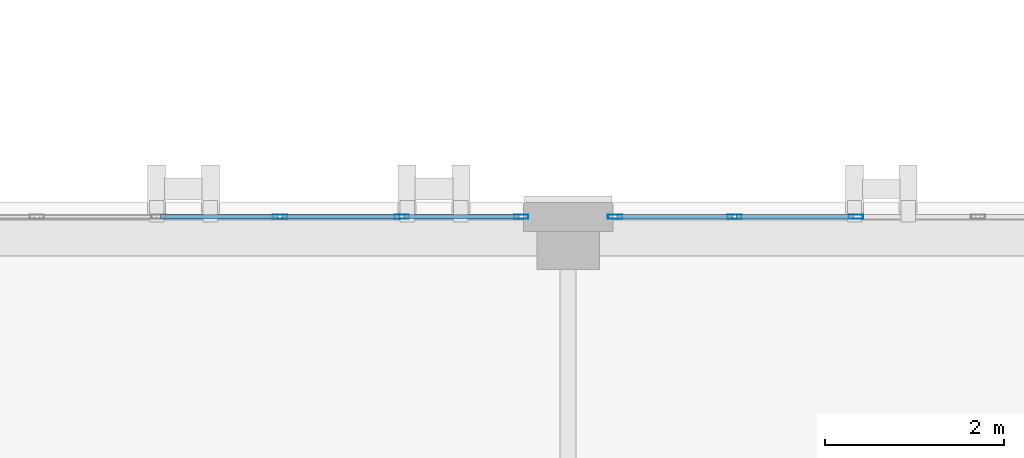
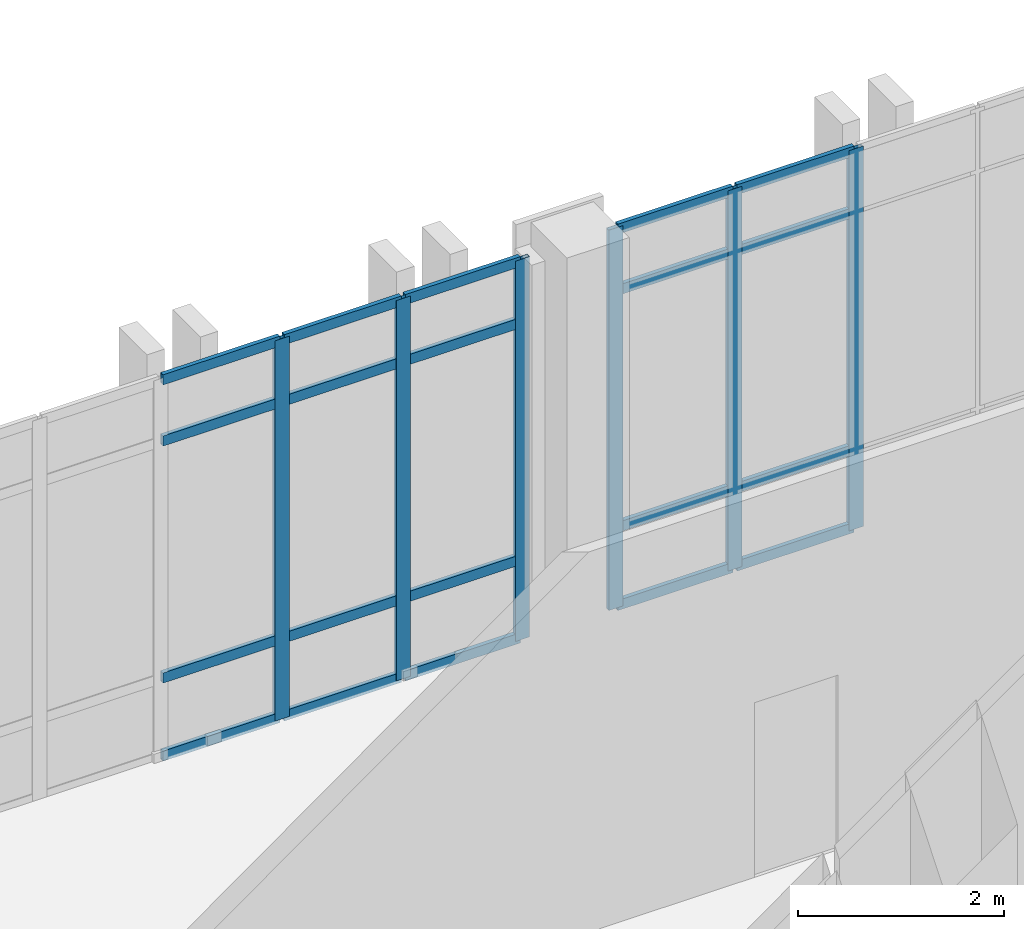
# One storey, part 123 of 189: 26 members, 2 elements without a shape of their own.
"""IFC4 building model written with IfcOpenShell, lengths in metres."""

from ifc_helpers import new_model, si_unit, direction, frame, origin, origin_2d, place, context, subcontext, project, spatial, hollow_rectangle, extrude, material, layer, layer_set, material_profile, profile_set, type_object, element, aggregate, save


model = new_model("IFC4")

# Units and contexts
model_context = context("Model", 3, precision=1e-05, world=origin(), true_north=direction((0.0, 1.0)))
body_context = subcontext(model_context, "Body", "Model", "MODEL_VIEW")
ifc_project = project(units=[si_unit("LENGTHUNIT", "METRE"), si_unit("AREAUNIT", "SQUARE_METRE"), si_unit("VOLUMEUNIT", "CUBIC_METRE"), si_unit("PLANEANGLEUNIT", "RADIAN"), si_unit("MASSUNIT", "GRAM", prefix="KILO")], contexts=[model_context])

# Site, building, storey
site_placement = place(None, origin())
site = spatial("IfcSite", under=ifc_project, at=site_placement, CompositionType="ELEMENT")
building_placement = place(site_placement, origin())
building = spatial("IfcBuilding", under=site, at=building_placement, Name="Qalavern Law Courts", CompositionType="ELEMENT")
storey_placement = place(building_placement, frame((0.0, 0.0, 5.39990234375)))
storey = spatial("IfcBuildingStorey", under=building, at=storey_placement, Name="L01", CompositionType="ELEMENT", Elevation=5.39990234375)

# Curtain wall, members
ifc_material_1 = material(Name="Anodised aluminium and insulated glazing", Category="aluminium")
ifc_layer = layer(ifc_material_1, 0.172119140625)
ifc_layer_set = layer_set([ifc_layer], Name="Anodised aluminium and insulated glazing")
curtain_wall_type = type_object("IfcCurtainWallType", Name="ENV-CW-COURT", PredefinedType="USERDEFINED", material=ifc_layer_set)
curtain_wall_1_placement = place(storey_placement, origin())
curtain_wall_1 = element("IfcCurtainWall", 1, at=curtain_wall_1_placement, inside=storey, type_object=curtain_wall_type, Name="V6 unitised curtain wall L01 north 3", ObjectType="UNITISED CURTAIN WALL", PredefinedType="USERDEFINED")
ifc_material_2 = material(Name="Anodised aluminium", Category="aluminium")
ifc_material_profile_1 = material_profile(ifc_material_2, hollow_rectangle(XDim=0.048095703125, YDim=0.159912109375, WallThickness=0.00390625, at=origin_2d()), Name="ALU MULLION 48x160")
ifc_profile_set_1 = profile_set([ifc_material_profile_1], Name="Anodised aluminium")
member_type_1 = type_object("IfcMemberType", Name="ENV-CWM-48x160", PredefinedType="MULLION", material=ifc_profile_set_1)
member_1_placement = place(storey_placement, frame((145.219970703125, 22.4375, 0.0), z_axis=(0.0, 0.0, 1.0), x_axis=(0.0, -1.0, 0.0)))
member_1 = element("IfcMember", 2, at=member_1_placement, type_object=member_type_1, Name="CW-03 mullion 4", PredefinedType="MULLION", context=body_context, shape_type="SweptSolid", body=[
    extrude(hollow_rectangle(XDim=0.048095703125, YDim=0.159912109375, WallThickness=0.00390625, at=origin_2d()), origin(), (0.0, 0.0, 1.0), 4.510009765625),
])
member_2_placement = place(storey_placement, frame((143.860107421875, 22.4375, 0.0), z_axis=(0.0, 0.0, 1.0), x_axis=(0.0, -1.0, 0.0)))
member_2 = element("IfcMember", 3, at=member_2_placement, type_object=member_type_1, Name="CW-03 mullion 5", PredefinedType="MULLION", context=body_context, shape_type="SweptSolid", body=[
    extrude(hollow_rectangle(XDim=0.048095703125, YDim=0.159912109375, WallThickness=0.00390625, at=origin_2d()), origin(), (0.0, 0.0, 1.0), 4.510009765625),
])
member_3_placement = place(storey_placement, frame((142.52392578125, 22.4375, 0.0), z_axis=(0.0, 0.0, 1.0), x_axis=(0.0, -1.0, 0.0)))
member_3 = element("IfcMember", 4, at=member_3_placement, type_object=member_type_1, Name="CW-03 mullion 6", PredefinedType="MULLION", context=body_context, shape_type="SweptSolid", body=[
    extrude(hollow_rectangle(XDim=0.048095703125, YDim=0.159912109375, WallThickness=0.00390625, at=origin_2d()), origin(), (0.0, 0.0, 1.0), 4.510009765625),
])

curtain_wall_2_placement = place(storey_placement, origin())
curtain_wall_2 = element("IfcCurtainWall", 5, at=curtain_wall_2_placement, inside=storey, type_object=curtain_wall_type, Name="V6 unitised curtain wall L01 north 4", ObjectType="UNITISED CURTAIN WALL", PredefinedType="USERDEFINED")
member_4_placement = place(storey_placement, frame((141.47607421875, 22.4375, 0.0), z_axis=(0.0, 0.0, 1.0), x_axis=(0.0, -1.0, 0.0)))
member_4 = element("IfcMember", 6, at=member_4_placement, type_object=member_type_1, Name="CW-03 mullion 1", PredefinedType="MULLION", context=body_context, shape_type="SweptSolid", body=[
    extrude(hollow_rectangle(XDim=0.048095703125, YDim=0.159912109375, WallThickness=0.00390625, at=origin_2d()), origin(), (0.0, 0.0, 1.0), 4.510009765625),
])
member_5_placement = place(storey_placement, frame((140.139892578125, 22.4375, 0.0), z_axis=(0.0, 0.0, 1.0), x_axis=(0.0, -1.0, 0.0)))
member_5 = element("IfcMember", 7, at=member_5_placement, type_object=member_type_1, Name="CW-03 mullion 2", PredefinedType="MULLION", context=body_context, shape_type="SweptSolid", body=[
    extrude(hollow_rectangle(XDim=0.048095703125, YDim=0.159912109375, WallThickness=0.00390625, at=origin_2d()), origin(), (0.0, 0.0, 1.0), 4.510009765625),
])
member_6_placement = place(storey_placement, frame((138.780029296875, 22.4375, 0.0), z_axis=(0.0, 0.0, 1.0), x_axis=(0.0, -1.0, 0.0)))
member_6 = element("IfcMember", 8, at=member_6_placement, type_object=member_type_1, Name="CW-03 mullion 3", PredefinedType="MULLION", context=body_context, shape_type="SweptSolid", body=[
    extrude(hollow_rectangle(XDim=0.048095703125, YDim=0.159912109375, WallThickness=0.00390625, at=origin_2d()), origin(), (0.0, 0.0, 1.0), 4.510009765625),
])

# Member
ifc_material_profile_2 = material_profile(ifc_material_2, hollow_rectangle(XDim=0.048095703125, YDim=0.1201171875, WallThickness=0.00390625, at=origin_2d()), Name="ALU TRANSOM 48x120")
ifc_profile_set_2 = profile_set([ifc_material_profile_2], Name="Anodised aluminium")
member_type_2 = type_object("IfcMemberType", Name="ENV-CWT-48x120", PredefinedType="USERDEFINED", material=ifc_profile_set_2)
member_7_placement = place(storey_placement, frame((145.196044921875, 22.4375, 0.024169921875), z_axis=(-1.0, 0.0, 0.0), x_axis=(0.0, -1.0, 0.0)))
member_7 = element("IfcMember", 9, at=member_7_placement, type_object=member_type_2, Name="CW-03 transom 4.1", ObjectType="TRANSOM", PredefinedType="USERDEFINED", context=body_context, shape_type="SweptSolid", body=[
    extrude(hollow_rectangle(XDim=0.048095703125, YDim=0.1201171875, WallThickness=0.00390625, at=origin_2d()), origin(), (0.0, 0.0, 1.0), 1.31201171875),
])

member_8_placement = place(storey_placement, frame((145.196044921875, 22.4375, 0.9501953125), z_axis=(-1.0, 0.0, 0.0), x_axis=(0.0, -1.0, 0.0)))
member_8 = element("IfcMember", 10, at=member_8_placement, type_object=member_type_2, Name="CW-03 transom 4.2", ObjectType="TRANSOM", PredefinedType="USERDEFINED", context=body_context, shape_type="SweptSolid", body=[
    extrude(hollow_rectangle(XDim=0.048095703125, YDim=0.1201171875, WallThickness=0.00390625, at=origin_2d()), origin(), (0.0, 0.0, 1.0), 1.31201171875),
])

member_9_placement = place(storey_placement, frame((145.196044921875, 22.4375, 3.760009765625), z_axis=(-1.0, 0.0, 0.0), x_axis=(0.0, -1.0, 0.0)))
member_9 = element("IfcMember", 11, at=member_9_placement, type_object=member_type_2, Name="CW-03 transom 4.3", ObjectType="TRANSOM", PredefinedType="USERDEFINED", context=body_context, shape_type="SweptSolid", body=[
    extrude(hollow_rectangle(XDim=0.048095703125, YDim=0.1201171875, WallThickness=0.00390625, at=origin_2d()), origin(), (0.0, 0.0, 1.0), 1.31201171875),
])

member_10_placement = place(storey_placement, frame((145.196044921875, 22.4375, 4.486083984375), z_axis=(-1.0, 0.0, 0.0), x_axis=(0.0, -1.0, 0.0)))
member_10 = element("IfcMember", 12, at=member_10_placement, type_object=member_type_2, Name="CW-03 transom 4.4", ObjectType="TRANSOM", PredefinedType="USERDEFINED", context=body_context, shape_type="SweptSolid", body=[
    extrude(hollow_rectangle(XDim=0.048095703125, YDim=0.1201171875, WallThickness=0.00390625, at=origin_2d()), origin(), (0.0, 0.0, 1.0), 1.31201171875),
])

member_11_placement = place(storey_placement, frame((143.8359375, 22.4375, 0.024169921875), z_axis=(-1.0, 0.0, 0.0), x_axis=(0.0, -1.0, 0.0)))
member_11 = element("IfcMember", 13, at=member_11_placement, type_object=member_type_2, Name="CW-03 transom 5.1", ObjectType="TRANSOM", PredefinedType="USERDEFINED", context=body_context, shape_type="SweptSolid", body=[
    extrude(hollow_rectangle(XDim=0.048095703125, YDim=0.1201171875, WallThickness=0.00390625, at=origin_2d()), origin(), (0.0, 0.0, 1.0), 1.287841796875),
])

member_12_placement = place(storey_placement, frame((143.8359375, 22.4375, 0.9501953125), z_axis=(-1.0, 0.0, 0.0), x_axis=(0.0, -1.0, 0.0)))
member_12 = element("IfcMember", 14, at=member_12_placement, type_object=member_type_2, Name="CW-03 transom 5.2", ObjectType="TRANSOM", PredefinedType="USERDEFINED", context=body_context, shape_type="SweptSolid", body=[
    extrude(hollow_rectangle(XDim=0.048095703125, YDim=0.1201171875, WallThickness=0.00390625, at=origin_2d()), origin(), (0.0, 0.0, 1.0), 1.287841796875),
])

member_13_placement = place(storey_placement, frame((143.8359375, 22.4375, 3.760009765625), z_axis=(-1.0, 0.0, 0.0), x_axis=(0.0, -1.0, 0.0)))
member_13 = element("IfcMember", 15, at=member_13_placement, type_object=member_type_2, Name="CW-03 transom 5.3", ObjectType="TRANSOM", PredefinedType="USERDEFINED", context=body_context, shape_type="SweptSolid", body=[
    extrude(hollow_rectangle(XDim=0.048095703125, YDim=0.1201171875, WallThickness=0.00390625, at=origin_2d()), origin(), (0.0, 0.0, 1.0), 1.287841796875),
])

member_14_placement = place(storey_placement, frame((143.8359375, 22.4375, 4.486083984375), z_axis=(-1.0, 0.0, 0.0), x_axis=(0.0, -1.0, 0.0)))
member_14 = element("IfcMember", 16, at=member_14_placement, type_object=member_type_2, Name="CW-03 transom 5.4", ObjectType="TRANSOM", PredefinedType="USERDEFINED", context=body_context, shape_type="SweptSolid", body=[
    extrude(hollow_rectangle(XDim=0.048095703125, YDim=0.1201171875, WallThickness=0.00390625, at=origin_2d()), origin(), (0.0, 0.0, 1.0), 1.287841796875),
])

aggregate(curtain_wall_1, [member_1, member_2, member_3, member_7, member_8, member_9, member_10, member_11, member_12, member_13, member_14])

member_15_placement = place(storey_placement, frame((141.451904296875, 22.4375, 0.024169921875), z_axis=(-1.0, 0.0, 0.0), x_axis=(0.0, -1.0, 0.0)))
member_15 = element("IfcMember", 17, at=member_15_placement, type_object=member_type_2, Name="CW-03 transom 1.1", ObjectType="TRANSOM", PredefinedType="USERDEFINED", context=body_context, shape_type="SweptSolid", body=[
    extrude(hollow_rectangle(XDim=0.048095703125, YDim=0.1201171875, WallThickness=0.00390625, at=origin_2d()), origin(), (0.0, 0.0, 1.0), 1.287841796875),
])

member_16_placement = place(storey_placement, frame((141.451904296875, 22.4375, 0.9501953125), z_axis=(-1.0, 0.0, 0.0), x_axis=(0.0, -1.0, 0.0)))
member_16 = element("IfcMember", 18, at=member_16_placement, type_object=member_type_2, Name="CW-03 transom 1.2", ObjectType="TRANSOM", PredefinedType="USERDEFINED", context=body_context, shape_type="SweptSolid", body=[
    extrude(hollow_rectangle(XDim=0.048095703125, YDim=0.1201171875, WallThickness=0.00390625, at=origin_2d()), origin(), (0.0, 0.0, 1.0), 1.287841796875),
])

member_17_placement = place(storey_placement, frame((141.451904296875, 22.4375, 3.760009765625), z_axis=(-1.0, 0.0, 0.0), x_axis=(0.0, -1.0, 0.0)))
member_17 = element("IfcMember", 19, at=member_17_placement, type_object=member_type_2, Name="CW-03 transom 1.3", ObjectType="TRANSOM", PredefinedType="USERDEFINED", context=body_context, shape_type="SweptSolid", body=[
    extrude(hollow_rectangle(XDim=0.048095703125, YDim=0.1201171875, WallThickness=0.00390625, at=origin_2d()), origin(), (0.0, 0.0, 1.0), 1.287841796875),
])

member_18_placement = place(storey_placement, frame((141.451904296875, 22.4375, 4.486083984375), z_axis=(-1.0, 0.0, 0.0), x_axis=(0.0, -1.0, 0.0)))
member_18 = element("IfcMember", 20, at=member_18_placement, type_object=member_type_2, Name="CW-03 transom 1.4", ObjectType="TRANSOM", PredefinedType="USERDEFINED", context=body_context, shape_type="SweptSolid", body=[
    extrude(hollow_rectangle(XDim=0.048095703125, YDim=0.1201171875, WallThickness=0.00390625, at=origin_2d()), origin(), (0.0, 0.0, 1.0), 1.287841796875),
])

member_19_placement = place(storey_placement, frame((140.115966796875, 22.4375, 0.024169921875), z_axis=(-1.0, 0.0, 0.0), x_axis=(0.0, -1.0, 0.0)))
member_19 = element("IfcMember", 21, at=member_19_placement, type_object=member_type_2, Name="CW-03 transom 2.1", ObjectType="TRANSOM", PredefinedType="USERDEFINED", context=body_context, shape_type="SweptSolid", body=[
    extrude(hollow_rectangle(XDim=0.048095703125, YDim=0.1201171875, WallThickness=0.00390625, at=origin_2d()), origin(), (0.0, 0.0, 1.0), 1.31201171875),
])

member_20_placement = place(storey_placement, frame((140.115966796875, 22.4375, 0.9501953125), z_axis=(-1.0, 0.0, 0.0), x_axis=(0.0, -1.0, 0.0)))
member_20 = element("IfcMember", 22, at=member_20_placement, type_object=member_type_2, Name="CW-03 transom 2.2", ObjectType="TRANSOM", PredefinedType="USERDEFINED", context=body_context, shape_type="SweptSolid", body=[
    extrude(hollow_rectangle(XDim=0.048095703125, YDim=0.1201171875, WallThickness=0.00390625, at=origin_2d()), origin(), (0.0, 0.0, 1.0), 1.31201171875),
])

member_21_placement = place(storey_placement, frame((140.115966796875, 22.4375, 3.760009765625), z_axis=(-1.0, 0.0, 0.0), x_axis=(0.0, -1.0, 0.0)))
member_21 = element("IfcMember", 23, at=member_21_placement, type_object=member_type_2, Name="CW-03 transom 2.3", ObjectType="TRANSOM", PredefinedType="USERDEFINED", context=body_context, shape_type="SweptSolid", body=[
    extrude(hollow_rectangle(XDim=0.048095703125, YDim=0.1201171875, WallThickness=0.00390625, at=origin_2d()), origin(), (0.0, 0.0, 1.0), 1.31201171875),
])

member_22_placement = place(storey_placement, frame((140.115966796875, 22.4375, 4.486083984375), z_axis=(-1.0, 0.0, 0.0), x_axis=(0.0, -1.0, 0.0)))
member_22 = element("IfcMember", 24, at=member_22_placement, type_object=member_type_2, Name="CW-03 transom 2.4", ObjectType="TRANSOM", PredefinedType="USERDEFINED", context=body_context, shape_type="SweptSolid", body=[
    extrude(hollow_rectangle(XDim=0.048095703125, YDim=0.1201171875, WallThickness=0.00390625, at=origin_2d()), origin(), (0.0, 0.0, 1.0), 1.31201171875),
])

member_23_placement = place(storey_placement, frame((138.756103515625, 22.4375, 0.024169921875), z_axis=(-1.0, 0.0, 0.0), x_axis=(0.0, -1.0, 0.0)))
member_23 = element("IfcMember", 25, at=member_23_placement, type_object=member_type_2, Name="CW-03 transom 3.1", ObjectType="TRANSOM", PredefinedType="USERDEFINED", context=body_context, shape_type="SweptSolid", body=[
    extrude(hollow_rectangle(XDim=0.048095703125, YDim=0.1201171875, WallThickness=0.00390625, at=origin_2d()), origin(), (0.0, 0.0, 1.0), 1.31201171875),
])

member_24_placement = place(storey_placement, frame((138.756103515625, 22.4375, 0.9501953125), z_axis=(-1.0, 0.0, 0.0), x_axis=(0.0, -1.0, 0.0)))
member_24 = element("IfcMember", 26, at=member_24_placement, type_object=member_type_2, Name="CW-03 transom 3.2", ObjectType="TRANSOM", PredefinedType="USERDEFINED", context=body_context, shape_type="SweptSolid", body=[
    extrude(hollow_rectangle(XDim=0.048095703125, YDim=0.1201171875, WallThickness=0.00390625, at=origin_2d()), origin(), (0.0, 0.0, 1.0), 1.31201171875),
])

member_25_placement = place(storey_placement, frame((138.756103515625, 22.4375, 3.760009765625), z_axis=(-1.0, 0.0, 0.0), x_axis=(0.0, -1.0, 0.0)))
member_25 = element("IfcMember", 27, at=member_25_placement, type_object=member_type_2, Name="CW-03 transom 3.3", ObjectType="TRANSOM", PredefinedType="USERDEFINED", context=body_context, shape_type="SweptSolid", body=[
    extrude(hollow_rectangle(XDim=0.048095703125, YDim=0.1201171875, WallThickness=0.00390625, at=origin_2d()), origin(), (0.0, 0.0, 1.0), 1.31201171875),
])

member_26_placement = place(storey_placement, frame((138.756103515625, 22.4375, 4.486083984375), z_axis=(-1.0, 0.0, 0.0), x_axis=(0.0, -1.0, 0.0)))
member_26 = element("IfcMember", 28, at=member_26_placement, type_object=member_type_2, Name="CW-03 transom 3.4", ObjectType="TRANSOM", PredefinedType="USERDEFINED", context=body_context, shape_type="SweptSolid", body=[
    extrude(hollow_rectangle(XDim=0.048095703125, YDim=0.1201171875, WallThickness=0.00390625, at=origin_2d()), origin(), (0.0, 0.0, 1.0), 1.31201171875),
])

aggregate(curtain_wall_2, [member_4, member_5, member_6, member_15, member_16, member_17, member_18, member_19, member_20, member_21, member_22, member_23, member_24, member_25, member_26])

save(model, "model.ifc")
